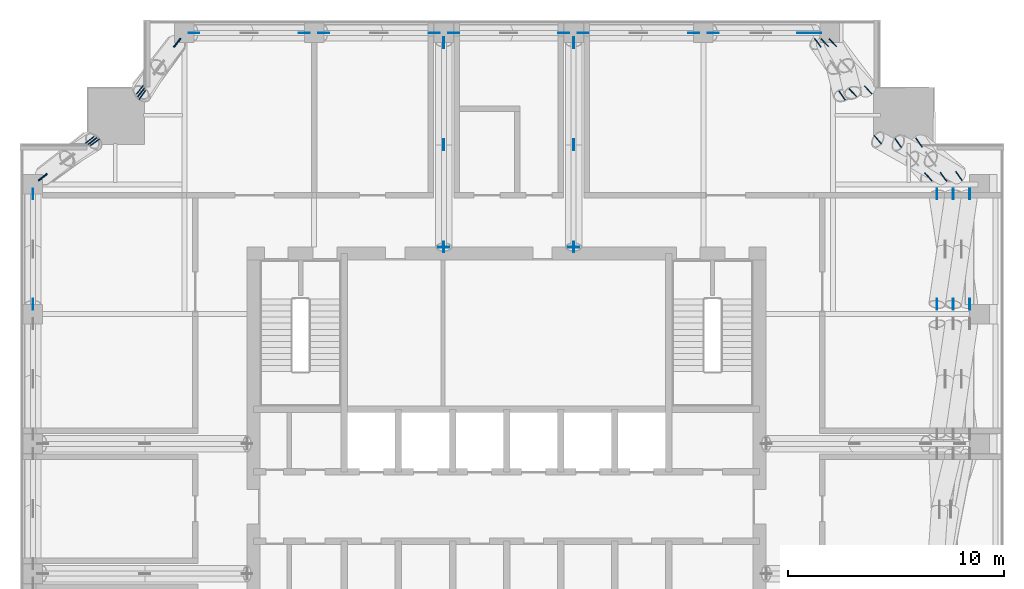
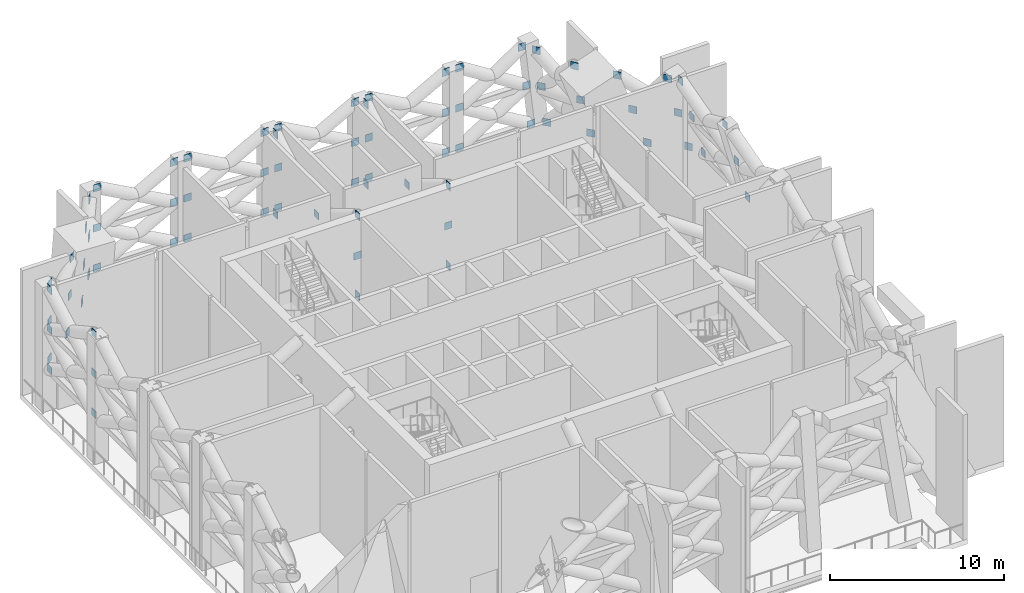
# One storey, part 14 of 18: 78 discrete accessories.
"""IFC4 building model written with IfcOpenShell, lengths in metres."""

from ifc_helpers import new_model, si_unit, direction, frame, origin, origin_2d, place, context, subcontext, project, spatial, rectangle, extrude, element, save


model = new_model("IFC4")

# Units and contexts
model_context = context("Model", 3, precision=1e-05, world=origin(), true_north=direction((0.0, 1.0)))
body_context = subcontext(model_context, "Body", "Model", "MODEL_VIEW")
ifc_project = project(units=[si_unit("LENGTHUNIT", "METRE"), si_unit("AREAUNIT", "SQUARE_METRE"), si_unit("VOLUMEUNIT", "CUBIC_METRE"), si_unit("PLANEANGLEUNIT", "RADIAN"), si_unit("MASSUNIT", "GRAM", prefix="KILO")], contexts=[model_context])

# Site, building, storey
site_placement = place(None, origin())
site = spatial("IfcSite", under=ifc_project, at=site_placement, CompositionType="ELEMENT")
building_placement = place(site_placement, origin())
building = spatial("IfcBuilding", under=site, at=building_placement, Name="Amberfall Residences", CompositionType="ELEMENT")
storey_placement = place(building_placement, frame((0.0, 0.0, 229.89990234375)))
storey = spatial("IfcBuildingStorey", under=building, at=storey_placement, Name="L62", CompositionType="ELEMENT", Elevation=229.89990234375)

# Discrete accessories
discrete_accessory_1_placement = place(storey_placement, frame((71.60009765625, 57.5, 5.4501953125), z_axis=(0.0, 0.0, 1.0), x_axis=(0.0, 1.0, 0.0)))
element("IfcDiscreteAccessory", 1, at=discrete_accessory_1_placement, inside=storey, Name="Cast-in plate L62", PredefinedType="BRACKET", context=body_context, shape_type="SweptSolid", body=[
    extrude(rectangle(XDim=0.0400390625, YDim=0.5, at=origin_2d()), origin(), (0.0, 0.0, 1.0), 0.5),
])
for number, where, z_axis, x_axis, name in (
    (2, (71.60009765625, 66.949951171875, 2.650146484375), (0.0, 0.0, 1.0), (0.0, 1.0, 0.0), "Connection plate L62"),
    (3, (71.60009765625, 62.22509765625, 5.4501953125), (0.0, 0.0, 1.0), (0.0, 1.0, 0.0), "Connection plate L62"),
    (4, (71.60009765625, 57.5, 2.650146484375), (0.0, 0.0, 1.0), (0.0, 1.0, 0.0), "Connection plate L62"),
    (5, (71.60009765625, 66.949951171875, 8.25), (0.0, 0.0, 1.0), (0.0, 1.0, 0.0), "Connection plate L62"),
    (6, (71.60009765625, 57.5, 8.25), (0.0, 0.0, 1.0), (0.0, 1.0, 0.0), "Connection plate L62"),
):
    element("IfcDiscreteAccessory", number, at=place(storey_placement, frame(where, z_axis=z_axis, x_axis=x_axis)), inside=storey, Name=name, PredefinedType="BRACKET", context=body_context, shape_type="SweptSolid", body=[
        extrude(rectangle(XDim=0.5, YDim=0.0400390625, at=origin_2d()), origin(), (0.0, 0.0, 1.0), 0.5),
    ])
discrete_accessory_2_placement = place(storey_placement, frame((77.60009765625, 57.5, 5.4501953125), z_axis=(0.0, 0.0, 1.0), x_axis=(0.0, 1.0, 0.0)))
element("IfcDiscreteAccessory", 7, at=discrete_accessory_2_placement, inside=storey, Name="Cast-in plate L62", PredefinedType="BRACKET", context=body_context, shape_type="SweptSolid", body=[
    extrude(rectangle(XDim=0.0400390625, YDim=0.5, at=origin_2d()), origin(), (0.0, 0.0, 1.0), 0.5),
])
for number, where, z_axis, x_axis, name in (
    (8, (77.60009765625, 66.949951171875, 2.650146484375), (0.0, 0.0, 1.0), (0.0, 1.0, 0.0), "Connection plate L62"),
    (9, (77.60009765625, 62.22509765625, 5.4501953125), (0.0, 0.0, 1.0), (0.0, 1.0, 0.0), "Connection plate L62"),
    (10, (77.60009765625, 57.5, 2.650146484375), (0.0, 0.0, 1.0), (0.0, 1.0, 0.0), "Connection plate L62"),
    (11, (77.60009765625, 66.949951171875, 8.25), (0.0, 0.0, 1.0), (0.0, 1.0, 0.0), "Connection plate L62"),
    (12, (77.60009765625, 57.5, 8.25), (0.0, 0.0, 1.0), (0.0, 1.0, 0.0), "Connection plate L62"),
    (13, (95.907958984375, 54.85009765625, 2.650146484375), (0.0, 0.0, 1.0), (0.0, 1.0, 0.0), "Connection plate L62"),
    (14, (95.155517578125, 59.949951171875, 5.4501953125), (0.0, 0.0, 1.0), (0.0, 1.0, 0.0), "Connection plate L62"),
    (15, (95.155517578125, 54.85009765625, 5.4501953125), (0.0, 0.0, 1.0), (0.0, 1.0, 0.0), "Connection plate L62"),
    (16, (95.907958984375, 59.949951171875, 2.650146484375), (0.0, 0.0, 1.0), (0.0, 1.0, 0.0), "Connection plate L62"),
    (17, (94.403076171875, 59.949951171875, 8.25), (0.0, 0.0, 1.0), (0.0, 1.0, 0.0), "Connection plate L62"),
    (18, (94.403076171875, 54.85009765625, 8.25), (0.0, 0.0, 1.0), (0.0, 1.0, 0.0), "Connection plate L62"),
    (19, (60.050048828125, 67.39990234375, 2.650146484375), (0.0, 0.0, 1.0), (1.0, 0.0, 0.0), "Connection plate L62"),
    (20, (65.14990234375, 67.39990234375, 5.4501953125), (0.0, 0.0, 1.0), (1.0, 0.0, 0.0), "Connection plate L62"),
    (21, (60.050048828125, 67.39990234375, 5.4501953125), (0.0, 0.0, 1.0), (1.0, 0.0, 0.0), "Connection plate L62"),
    (22, (65.14990234375, 67.39990234375, 2.650146484375), (0.0, 0.0, 1.0), (1.0, 0.0, 0.0), "Connection plate L62"),
    (23, (65.14990234375, 67.39990234375, 8.25), (0.0, 0.0, 1.0), (1.0, 0.0, 0.0), "Connection plate L62"),
    (24, (60.050048828125, 67.39990234375, 8.25), (0.0, 0.0, 1.0), (1.0, 0.0, 0.0), "Connection plate L62"),
    (25, (66.050048828125, 67.39990234375, 2.650146484375), (0.0, 0.0, 1.0), (1.0, 0.0, 0.0), "Connection plate L62"),
    (26, (71.14990234375, 67.39990234375, 5.4501953125), (0.0, 0.0, 1.0), (1.0, 0.0, 0.0), "Connection plate L62"),
    (27, (66.050048828125, 67.39990234375, 5.4501953125), (0.0, 0.0, 1.0), (1.0, 0.0, 0.0), "Connection plate L62"),
    (28, (71.14990234375, 67.39990234375, 2.650146484375), (0.0, 0.0, 1.0), (1.0, 0.0, 0.0), "Connection plate L62"),
    (29, (71.14990234375, 67.39990234375, 8.25), (0.0, 0.0, 1.0), (1.0, 0.0, 0.0), "Connection plate L62"),
    (30, (66.050048828125, 67.39990234375, 8.25), (0.0, 0.0, 1.0), (1.0, 0.0, 0.0), "Connection plate L62"),
    (31, (72.050048828125, 67.39990234375, 2.650146484375), (0.0, 0.0, 1.0), (1.0, 0.0, 0.0), "Connection plate L62"),
    (32, (77.14990234375, 67.39990234375, 5.4501953125), (0.0, 0.0, 1.0), (1.0, 0.0, 0.0), "Connection plate L62"),
    (33, (72.050048828125, 67.39990234375, 5.4501953125), (0.0, 0.0, 1.0), (1.0, 0.0, 0.0), "Connection plate L62"),
    (34, (77.14990234375, 67.39990234375, 2.650146484375), (0.0, 0.0, 1.0), (1.0, 0.0, 0.0), "Connection plate L62"),
    (35, (77.14990234375, 67.39990234375, 8.25), (0.0, 0.0, 1.0), (1.0, 0.0, 0.0), "Connection plate L62"),
    (36, (72.050048828125, 67.39990234375, 8.25), (0.0, 0.0, 1.0), (1.0, 0.0, 0.0), "Connection plate L62"),
    (37, (78.050048828125, 67.39990234375, 2.650146484375), (0.0, 0.0, 1.0), (1.0, 0.0, 0.0), "Connection plate L62"),
    (38, (83.14990234375, 67.39990234375, 5.4501953125), (0.0, 0.0, 1.0), (1.0, 0.0, 0.0), "Connection plate L62"),
    (39, (78.050048828125, 67.39990234375, 5.4501953125), (0.0, 0.0, 1.0), (1.0, 0.0, 0.0), "Connection plate L62"),
    (40, (83.14990234375, 67.39990234375, 2.650146484375), (0.0, 0.0, 1.0), (1.0, 0.0, 0.0), "Connection plate L62"),
    (41, (83.14990234375, 67.39990234375, 8.25), (0.0, 0.0, 1.0), (1.0, 0.0, 0.0), "Connection plate L62"),
    (42, (78.050048828125, 67.39990234375, 8.25), (0.0, 0.0, 1.0), (1.0, 0.0, 0.0), "Connection plate L62"),
    (43, (84.050048828125, 67.39990234375, 2.650146484375), (0.0, 0.0, 1.0), (1.0, 0.0, 0.0), "Connection plate L62"),
    (44, (88.50146484375, 67.39990234375, 5.4501953125), (0.0, 0.0, 1.0), (1.0, 0.0, 0.0), "Connection plate L62"),
    (45, (84.050048828125, 67.39990234375, 5.4501953125), (0.0, 0.0, 1.0), (1.0, 0.0, 0.0), "Connection plate L62"),
    (46, (88.803955078125, 67.39990234375, 2.650146484375), (0.0, 0.0, 1.0), (1.0, 0.0, 0.0), "Connection plate L62"),
    (47, (88.19873046875, 67.39990234375, 8.25), (0.0, 0.0, 1.0), (1.0, 0.0, 0.0), "Connection plate L62"),
    (48, (84.050048828125, 67.39990234375, 8.25), (0.0, 0.0, 1.0), (1.0, 0.0, 0.0), "Connection plate L62"),
    (49, (52.60009765625, 54.85009765625, 2.650146484375), (0.0, 0.0, 1.0), (0.0, 1.0, 0.0), "Connection plate L62"),
    (50, (52.60009765625, 59.949951171875, 5.4501953125), (0.0, 0.0, 1.0), (0.0, 1.0, 0.0), "Connection plate L62"),
    (51, (52.60009765625, 54.85009765625, 5.4501953125), (0.0, 0.0, 1.0), (0.0, 1.0, 0.0), "Connection plate L62"),
    (52, (52.60009765625, 59.949951171875, 2.650146484375), (0.0, 0.0, 1.0), (0.0, 1.0, 0.0), "Connection plate L62"),
    (53, (52.60009765625, 59.949951171875, 8.25), (0.0, 0.0, 1.0), (0.0, 1.0, 0.0), "Connection plate L62"),
    (54, (52.60009765625, 54.85009765625, 8.25), (0.0, 0.0, 1.0), (0.0, 1.0, 0.0), "Connection plate L62"),
    (55, (93.56689453125, 62.330078125, 2.75), (0.0, 0.0, 1.0), (0.583654593918, -0.812002041252, 0.0), "Connection plate L62"),
    (56, (94.703857421875, 60.748291015625, 5.396484375), (0.0, 0.0, 1.0), (0.583654593918, -0.812002041252, 0.0), "Connection plate L62"),
    (57, (92.60791015625, 62.3154296875, 5.396484375), (0.0, 0.0, 1.0), (0.583654593918, -0.812002041252, 0.0), "Connection plate L62"),
    (58, (95.4150390625, 60.788818359375, 2.75), (0.0, 0.0, 1.0), (0.583654593918, -0.812002041252, 0.0), "Connection plate L62"),
    (59, (94.004150390625, 60.742919921875, 8.04296875), (0.0, 0.0, 1.0), (0.663991467818, -0.747740149159, 0.0), "Connection plate L62"),
    (60, (91.66552734375, 62.464599609375, 8.04296875), (0.0, 0.0, 1.0), (0.663991467818, -0.747740149159, 0.0), "Connection plate L62"),
    (61, (91.2216796875, 64.7685546875, 2.75), (0.0, 0.0, 1.0), (-0.677992905581, 0.73506844578, 0.0), "Connection plate L62"),
    (62, (89.209716796875, 66.949951171875, 5.396484375), (0.0, 0.0, 1.0), (-0.677992905581, 0.73506844578, 0.0), "Connection plate L62"),
    (63, (90.507080078125, 64.63818359375, 5.396484375), (0.0, 0.0, 1.0), (-0.677992905581, 0.73506844578, 0.0), "Connection plate L62"),
    (64, (89.58154296875, 66.949951171875, 2.75), (0.0, 0.0, 1.0), (-0.677992905581, 0.73506844578, 0.0), "Connection plate L62"),
    (65, (88.884033203125, 66.949951171875, 8.04296875), (0.0, 0.0, 1.0), (-0.574591075624, 0.818440648926, 0.0), "Connection plate L62"),
    (66, (90.01220703125, 64.511474609375, 8.04296875), (0.0, 0.0, 1.0), (-0.574591075624, 0.818440648926, 0.0), "Connection plate L62"),
    (67, (57.54638671875, 64.768798828125, 2.75), (0.0, 0.0, 1.0), (0.620600507707, 0.784126909266, 0.0), "Connection plate L62"),
    (68, (59.272705078125, 66.949951171875, 5.396484375), (0.0, 0.0, 1.0), (0.620600507707, 0.784126909266, 0.0), "Connection plate L62"),
    (69, (57.59814453125, 64.64794921875, 5.396484375), (0.0, 0.0, 1.0), (0.620600507707, 0.784126909266, 0.0), "Connection plate L62"),
    (70, (59.248779296875, 66.949951171875, 2.75), (0.0, 0.0, 1.0), (0.620600507707, 0.784126909266, 0.0), "Connection plate L62"),
    (71, (59.294921875, 66.949951171875, 8.04296875), (0.0, 0.0, 1.0), (0.593292446861, 0.804987001446, 0.0), "Connection plate L62"),
    (72, (57.653076171875, 64.529296875, 8.04296875), (0.0, 0.0, 1.0), (0.593292446861, 0.804987001446, 0.0), "Connection plate L62"),
    (73, (55.231201171875, 62.45361328125, 2.75), (0.0, 0.0, 1.0), (-0.784126909266, -0.620600507707, 0.0), "Connection plate L62"),
    (74, (53.050048828125, 60.727294921875, 5.396484375), (0.0, 0.0, 1.0), (-0.784126909266, -0.620600507707, 0.0), "Connection plate L62"),
    (75, (55.35205078125, 62.40185546875, 5.396484375), (0.0, 0.0, 1.0), (-0.784126909266, -0.620600507707, 0.0), "Connection plate L62"),
    (76, (53.050048828125, 60.751220703125, 2.75), (0.0, 0.0, 1.0), (-0.784126909266, -0.620600507707, 0.0), "Connection plate L62"),
    (77, (53.050048828125, 60.705078125, 8.04296875), (0.0, 0.0, 1.0), (-0.804987001446, -0.593292446861, 0.0), "Connection plate L62"),
    (78, (55.470703125, 62.346923828125, 8.04296875), (0.0, 0.0, 1.0), (-0.804987001446, -0.593292446861, 0.0), "Connection plate L62"),
):
    element("IfcDiscreteAccessory", number, at=place(storey_placement, frame(where, z_axis=z_axis, x_axis=x_axis)), inside=storey, Name=name, PredefinedType="BRACKET", context=body_context, shape_type="SweptSolid", body=[
        extrude(rectangle(XDim=0.5, YDim=0.0400390625, at=origin_2d()), origin(), (0.0, 0.0, 1.0), 0.5),
    ])

save(model, "model.ifc")
